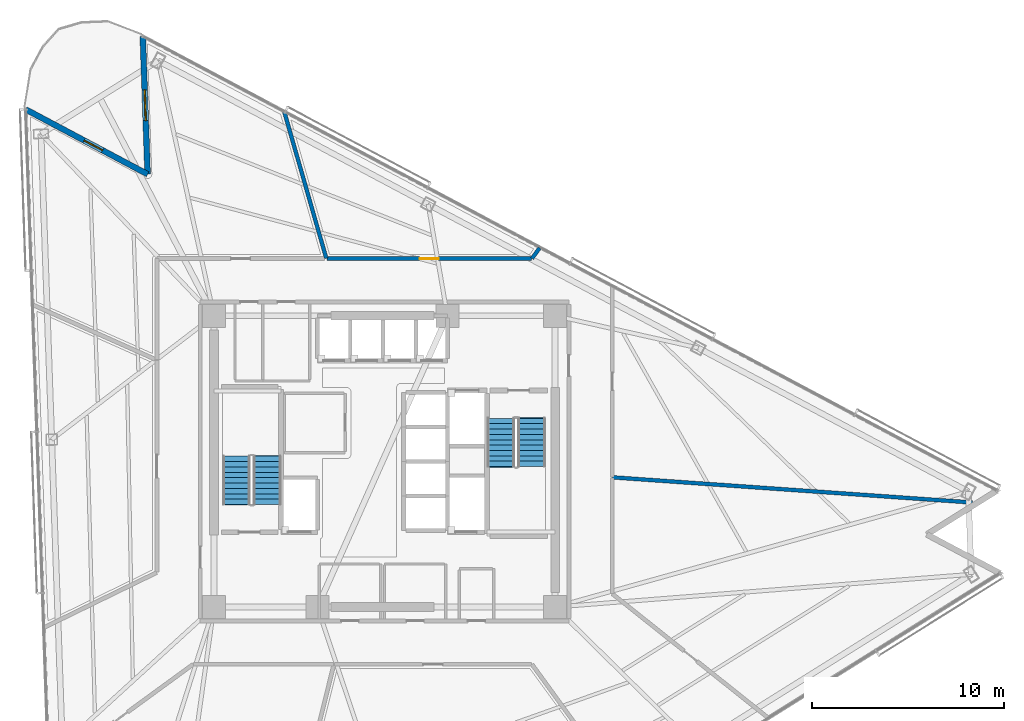
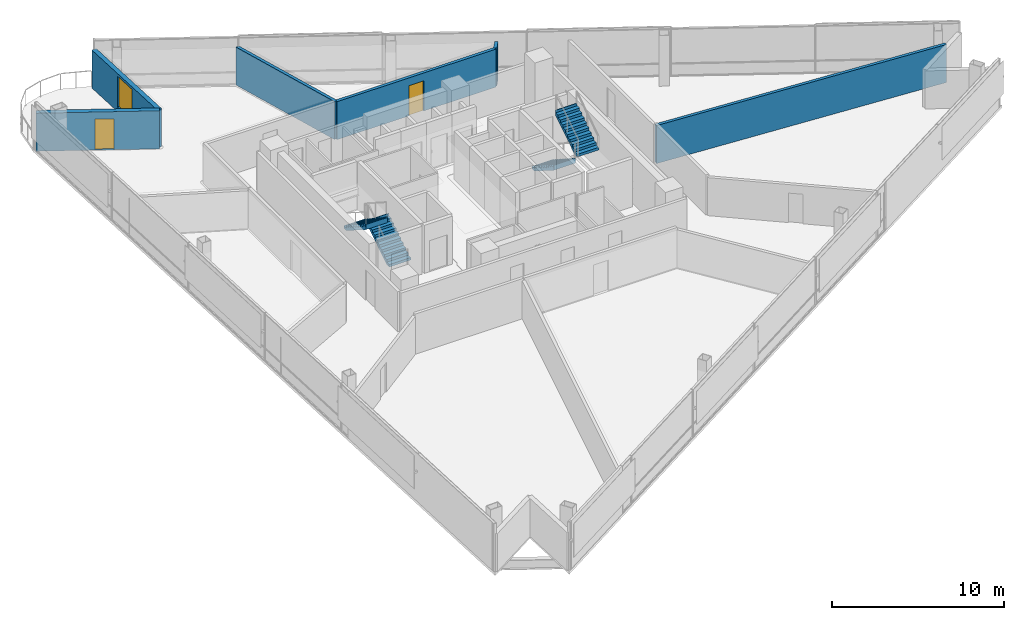
# One storey, part 14 of 21: 6 walls, 4 stair flights, 2 doors, 1 window, 3 openings, 2 elements without a shape of their own.
"""IFC4 building model written with IfcOpenShell, lengths in metres."""

from ifc_helpers import new_model, si_unit, direction, frame, frame_2d, origin, place, context, subcontext, project, spatial, polyline, rectangle, outline, extrude, material, layer, layer_set, type_object, element, fill, aggregate, save


model = new_model("IFC4")

# Units and contexts
model_context = context("Model", 3, precision=1e-05, world=origin(), true_north=direction((0.0, 1.0)))
body_context = subcontext(model_context, "Body", "Model", "MODEL_VIEW")
ifc_project = project(units=[si_unit("LENGTHUNIT", "METRE"), si_unit("AREAUNIT", "SQUARE_METRE"), si_unit("VOLUMEUNIT", "CUBIC_METRE"), si_unit("PLANEANGLEUNIT", "RADIAN"), si_unit("MASSUNIT", "GRAM", prefix="KILO")], contexts=[model_context])

# Site, building, storey
site_placement = place(None, origin())
site = spatial("IfcSite", under=ifc_project, at=site_placement, CompositionType="ELEMENT")
building_placement = place(site_placement, origin())
building = spatial("IfcBuilding", under=site, at=building_placement, Name="Tharavind Bronze Gate", CompositionType="ELEMENT")
storey_placement = place(building_placement, frame((0.0, 0.0, 142.39990234375)))
storey = spatial("IfcBuildingStorey", under=building, at=storey_placement, Name="L36", CompositionType="ELEMENT", Elevation=142.39990234375)

# Wall, opening, window
ifc_material_1 = material(Name="Concrete C40/50", Category="concrete")
ifc_layer_1 = layer(ifc_material_1, 0.300048828125)
ifc_layer_set_1 = layer_set([ifc_layer_1], Name="Concrete C40/50")
wall_type_1 = type_object("IfcWallType", Name="EXTERIOR SPANDREL WALL 300", PredefinedType="STANDARD", material=ifc_layer_set_1)
wall_1_placement = place(storey_placement, frame((-12.614013671875, 22.179931640625, 0.0), z_axis=(0.0, 0.0, 1.0), x_axis=(0.034925918675, -0.999389903994, 0.0)))
wall_1 = element("IfcWall", 1, at=wall_1_placement, inside=storey, type_object=wall_type_1, Name="L36 notch cheek wall 1A", PredefinedType="STANDARD", context=body_context, shape_type="SweptSolid", body=[
    extrude(rectangle(XDim=7.199951171875, YDim=0.300048828125, at=frame_2d((3.60009765625, 0.0))), origin(), (0.0, 0.0, 1.0), 2.705078125),
])
opening_1_placement = place(wall_1_placement, frame((2.800048828125, 0.0, 0.324951171875)))
opening_1 = element("IfcOpeningElement", 2, at=opening_1_placement, cuts=wall_1, Name="Opening W05", PredefinedType="OPENING", context=body_context, shape_type="SweptSolid", body=[
    extrude(rectangle(XDim=1.60009765625, YDim=2.199951171875, at=frame_2d((0.800048828125, 1.10009765625))), frame((0.0, 0.15990234375, 0.0), z_axis=(0.0, -1.0, 0.0), x_axis=(1.0, 0.0, 0.0)), (0.0, 0.0, 1.0), 0.320048828125),
])
ifc_material_2 = material(Name="Bronze Aluminium & Low-E Glass", Category="aluminium")
window_type = type_object("IfcWindowType", Name="OFFICE NOTCH BRONZE WINDOW 1600X2200", PartitioningType="DOUBLE_PANEL_VERTICAL", PredefinedType="WINDOW", material=ifc_material_2)
window_placement = place(opening_1_placement, origin())
window = element("IfcWindow", 3, at=window_placement, inside=storey, type_object=window_type, Name="L36 exterior window WL-L36-NCB1-01", OverallHeight=2.199951171875, OverallWidth=1.60009765625, PartitioningType="SINGLE_PANEL", PredefinedType="WINDOW", context=body_context, shape_type="SweptSolid", body=[
    extrude(rectangle(XDim=1.60009765625, YDim=2.199951171875, at=frame_2d((0.800048828125, 1.10009765625))), frame((0.0, 0.030029296875, 0.0), z_axis=(0.0, -1.0, 0.0), x_axis=(1.0, 0.0, 0.0)), (0.0, 0.0, 1.0), 0.06005859375),
])
fill(opening_1, window)

# Wall, opening, door
wall_2_placement = place(storey_placement, frame((-12.362548828125, 14.984375, 0.0), z_axis=(0.0, 0.0, 1.0), x_axis=(-0.882950149473, 0.469466754463, 0.0)))
wall_2 = element("IfcWall", 4, at=wall_2_placement, inside=storey, type_object=wall_type_1, Name="L36 notch cheek wall 1B", PredefinedType="STANDARD", context=body_context, shape_type="SweptSolid", body=[
    extrude(rectangle(XDim=7.199951171875, YDim=0.300048828125, at=frame_2d((3.60009765625, 0.0))), origin(), (0.0, 0.0, 1.0), 2.705078125),
])
opening_2_placement = place(wall_2_placement, frame((2.654052734375, 0.0, 0.0)))
opening_2 = element("IfcOpeningElement", 5, at=opening_2_placement, cuts=wall_2, Name="Opening ED04", PredefinedType="OPENING", context=body_context, shape_type="SweptSolid", body=[
    extrude(rectangle(XDim=1.10009765625, YDim=2.199951171875, at=frame_2d((0.550048828125, 1.10009765625))), frame((0.0, 0.15990234375, 0.0), z_axis=(0.0, -1.0, 0.0), x_axis=(1.0, 0.0, 0.0)), (0.0, 0.0, 1.0), 0.320048828125),
])
ifc_material_3 = material(Name="Bronze Aluminium & Toughened Glass", Category="aluminium")
door_type_1 = type_object("IfcDoorType", Name="TREE BALCONY ACCESS DOOR 1100X2200", OperationType="SINGLE_SWING_LEFT", PredefinedType="DOOR", material=ifc_material_3)
door_1_placement = place(opening_2_placement, origin())
door_1 = element("IfcDoor", 6, at=door_1_placement, inside=storey, type_object=door_type_1, Name="L36 tree balcony access door", OperationType="SINGLE_SWING_LEFT", OverallHeight=2.199951171875, OverallWidth=1.10009765625, PredefinedType="DOOR", context=body_context, shape_type="SweptSolid", body=[
    extrude(rectangle(XDim=1.10009765625, YDim=2.199951171875, at=frame_2d((0.550048828125, 1.10009765625))), frame((0.0, 0.02490234375, 0.0), z_axis=(0.0, -1.0, 0.0), x_axis=(1.0, 0.0, 0.0)), (0.0, 0.0, 1.0), 0.050048828125),
])
fill(opening_2, door_1)

# Walls
ifc_material_4 = material(Name="Aerated Concrete Block", Category="concrete")
ifc_layer_2 = layer(ifc_material_4, 0.199951171875)
ifc_layer_set_2 = layer_set([ifc_layer_2], Name="Aerated Concrete Block")
wall_type_2 = type_object("IfcWallType", Name="FIRE RATED PARTITION 200", PredefinedType="PARTITIONING", material=ifc_layer_set_2)
wall_3_placement = place(storey_placement, frame((11.90673828125, -0.83251953125, 0.0), z_axis=(0.0, 0.0, 1.0), x_axis=(0.997563710426, -0.069761333428, 0.0)))
element("IfcWall", 7, at=wall_3_placement, inside=storey, type_object=wall_type_2, Name="L36 Public Restrooms Block partition", PredefinedType="PARTITIONING", context=body_context, shape_type="SweptSolid", body=[
    extrude(rectangle(XDim=18.814208984375, YDim=0.199951171875, at=frame_2d((9.4072265625, 0.0))), origin(), (0.0, 0.0, 1.0), 2.705078125),
])
wall_4_placement = place(storey_placement, frame((8.09228515625, 11.137939453125, 0.0), z_axis=(0.0, 0.0, 1.0), x_axis=(-0.587871434296, -0.80895437247, 0.0)))
element("IfcWall", 8, at=wall_4_placement, inside=storey, type_object=wall_type_2, Name="L36 Biotech Dry Lab Office partition", PredefinedType="PARTITIONING", context=body_context, shape_type="SweptSolid", body=[
    extrude(rectangle(XDim=0.677001953125, YDim=0.199951171875, at=frame_2d((0.33837890625, 0.0))), origin(), (0.0, 0.0, 1.0), 2.705078125),
])

# Wall, opening, door
wall_5_placement = place(storey_placement, frame((7.674072265625, 10.580078125, 0.0), z_axis=(0.0, 0.0, 1.0), x_axis=(-1.0, 0.0, 0.0)))
wall_5 = element("IfcWall", 9, at=wall_5_placement, inside=storey, type_object=wall_type_2, Name="L36 Biotech Dry Lab Office partition", PredefinedType="PARTITIONING", context=body_context, shape_type="SweptSolid", body=[
    extrude(rectangle(XDim=10.68896484375, YDim=0.199951171875, at=frame_2d((5.344482421875, 0.0))), origin(), (0.0, 0.0, 1.0), 2.705078125),
])
opening_3_placement = place(wall_5_placement, frame((4.844970703125, 0.0, 0.0)))
opening_3 = element("IfcOpeningElement", 10, at=opening_3_placement, cuts=wall_5, Name="Opening ID04", PredefinedType="OPENING", context=body_context, shape_type="SweptSolid", body=[
    extrude(rectangle(XDim=1.0, YDim=2.14990234375, at=frame_2d((0.5, 1.074951171875))), frame((0.0, 0.11009765625, 0.0), z_axis=(0.0, -1.0, 0.0), x_axis=(1.0, 0.0, 0.0)), (0.0, 0.0, 1.0), 0.219951171875),
])
ifc_material_5 = material(Name="Bronze Framed Acoustic Timber", Category="wood")
door_type_2 = type_object("IfcDoorType", Name="OFFICE TENANCY DOOR 1000X2150", OperationType="SINGLE_SWING_RIGHT", PredefinedType="DOOR", material=ifc_material_5)
door_2_placement = place(opening_3_placement, origin())
door_2 = element("IfcDoor", 11, at=door_2_placement, inside=storey, type_object=door_type_2, Name="L36 Biotech Dry Lab Office door", OperationType="SINGLE_SWING_RIGHT", OverallHeight=2.14990234375, OverallWidth=1.0, PredefinedType="DOOR", context=body_context, shape_type="SweptSolid", body=[
    extrude(rectangle(XDim=1.0, YDim=2.14990234375, at=frame_2d((0.5, 1.074951171875))), frame((0.0, 0.02490234375, 0.0), z_axis=(0.0, -1.0, 0.0), x_axis=(1.0, 0.0, 0.0)), (0.0, 0.0, 1.0), 0.050048828125),
])
fill(opening_3, door_2)

# Wall
wall_6_placement = place(storey_placement, frame((-3.0390625, 10.59814453125, 0.0), z_axis=(0.0, 0.0, 1.0), x_axis=(-0.275619537282, 0.961266805142, 0.0)))
element("IfcWall", 12, at=wall_6_placement, inside=storey, type_object=wall_type_2, Name="L36 Biotech Dry Lab Office partition", PredefinedType="PARTITIONING", context=body_context, shape_type="SweptSolid", body=[
    extrude(rectangle(XDim=7.966796875, YDim=0.199951171875, at=frame_2d((3.9833984375, 0.0))), origin(), (0.0, 0.0, 1.0), 2.705078125),
])

# Stair, stair flights
stair_type = type_object("IfcStairType", Name="CORE HALF TURN STAIR 1450", PredefinedType="HALF_TURN_STAIR", material=ifc_material_1)
stair_1_placement = place(storey_placement, origin())
stair_1 = element("IfcStair", 13, at=stair_1_placement, inside=storey, type_object=stair_type, Name="L36 Protected Exit Stair ST1", PredefinedType="HALF_TURN_STAIR")
stair_flight_type = type_object("IfcStairFlightType", Name="CORE STAIR FLIGHT 1450", PredefinedType="STRAIGHT", material=ifc_material_1)
stair_flight_1_placement = place(storey_placement, frame((-6.125, -2.25, 0.0), z_axis=(0.0, 0.0, 1.0), x_axis=(0.0, 1.0, 0.0)))
stair_flight_1 = element("IfcStairFlight", 14, at=stair_flight_1_placement, type_object=stair_flight_type, Name="ST1 flight 1", NumberOfRisers=10, NumberOfTreads=9, PredefinedType="STRAIGHT", RiserHeight=0.18, TreadLength=0.28, context=body_context, shape_type="SweptSolid", body=[
    extrude(outline(polyline([(0.0, 0.0), (0.0, 0.179931640625), (0.280029296875, 0.179931640625), (0.280029296875, 0.360107421875), (0.56005859375, 0.360107421875), (0.56005859375, 0.5400390625), (0.840087890625, 0.5400390625), (0.840087890625, 0.719970703125), (1.1201171875, 0.719970703125), (1.1201171875, 0.89990234375), (1.39990234375, 0.89990234375), (1.39990234375, 1.080078125), (1.679931640625, 1.080078125), (1.679931640625, 1.260009765625), (1.9599609375, 1.260009765625), (1.9599609375, 1.43994140625), (2.239990234375, 1.43994140625), (2.239990234375, 1.6201171875), (2.52001953125, 1.6201171875), (2.52001953125, 1.800048828125), (2.555908203125, 1.800048828125), (2.555908203125, 1.44189453125), (0.277099609375, 0.0), (0.0, 0.0)])), frame((0.0, 0.72509765625, 0.0), z_axis=(0.0, -1.0, 0.0), x_axis=(1.0, 0.0, 0.0)), (0.0, 0.0, 1.0), 1.449951171875),
])
stair_flight_2_placement = place(storey_placement, frame((-7.72509765625, 0.27001953125, 1.800048828125), z_axis=(0.0, 0.0, 1.0), x_axis=(0.0, -1.0, 0.0)))
stair_flight_2 = element("IfcStairFlight", 15, at=stair_flight_2_placement, type_object=stair_flight_type, Name="ST1 flight 2", NumberOfRisers=10, NumberOfTreads=9, PredefinedType="STRAIGHT", RiserHeight=0.18, TreadLength=0.28, context=body_context, shape_type="SweptSolid", body=[
    extrude(outline(polyline([(0.0, 0.0), (0.0, 0.179931640625), (0.280029296875, 0.179931640625), (0.280029296875, 0.360107421875), (0.56005859375, 0.360107421875), (0.56005859375, 0.5400390625), (0.840087890625, 0.5400390625), (0.840087890625, 0.719970703125), (1.1201171875, 0.719970703125), (1.1201171875, 0.89990234375), (1.39990234375, 0.89990234375), (1.39990234375, 1.080078125), (1.679931640625, 1.080078125), (1.679931640625, 1.260009765625), (1.9599609375, 1.260009765625), (1.9599609375, 1.43994140625), (2.239990234375, 1.43994140625), (2.239990234375, 1.6201171875), (2.52001953125, 1.6201171875), (2.52001953125, 1.800048828125), (2.555908203125, 1.800048828125), (2.555908203125, 1.44189453125), (0.277099609375, 0.0), (0.0, 0.0)])), frame((0.0, 0.72509765625, 0.0), z_axis=(0.0, -1.0, 0.0), x_axis=(1.0, 0.0, 0.0)), (0.0, 0.0, 1.0), 1.449951171875),
])
aggregate(stair_1, [stair_flight_1, stair_flight_2])

stair_2_placement = place(storey_placement, origin())
stair_2 = element("IfcStair", 16, at=stair_2_placement, inside=storey, type_object=stair_type, Name="L36 Protected Exit Stair ST2", PredefinedType="HALF_TURN_STAIR")
stair_flight_3_placement = place(storey_placement, frame((6.074951171875, 2.25, 0.0), z_axis=(0.0, 0.0, 1.0), x_axis=(0.0, -1.0, 0.0)))
stair_flight_3 = element("IfcStairFlight", 17, at=stair_flight_3_placement, type_object=stair_flight_type, Name="ST2 flight 1", NumberOfRisers=10, NumberOfTreads=9, PredefinedType="STRAIGHT", RiserHeight=0.18, TreadLength=0.28, context=body_context, shape_type="SweptSolid", body=[
    extrude(outline(polyline([(0.0, 0.0), (0.0, 0.179931640625), (0.280029296875, 0.179931640625), (0.280029296875, 0.360107421875), (0.56005859375, 0.360107421875), (0.56005859375, 0.5400390625), (0.840087890625, 0.5400390625), (0.840087890625, 0.719970703125), (1.1201171875, 0.719970703125), (1.1201171875, 0.89990234375), (1.39990234375, 0.89990234375), (1.39990234375, 1.080078125), (1.679931640625, 1.080078125), (1.679931640625, 1.260009765625), (1.9599609375, 1.260009765625), (1.9599609375, 1.43994140625), (2.239990234375, 1.43994140625), (2.239990234375, 1.6201171875), (2.52001953125, 1.6201171875), (2.52001953125, 1.800048828125), (2.555908203125, 1.800048828125), (2.555908203125, 1.44189453125), (0.277099609375, 0.0), (0.0, 0.0)])), frame((0.0, 0.72509765625, 0.0), z_axis=(0.0, -1.0, 0.0), x_axis=(1.0, 0.0, 0.0)), (0.0, 0.0, 1.0), 1.449951171875),
])
stair_flight_4_placement = place(storey_placement, frame((7.675048828125, -0.27001953125, 1.800048828125), z_axis=(0.0, 0.0, 1.0), x_axis=(0.0, 1.0, 0.0)))
stair_flight_4 = element("IfcStairFlight", 18, at=stair_flight_4_placement, type_object=stair_flight_type, Name="ST2 flight 2", NumberOfRisers=10, NumberOfTreads=9, PredefinedType="STRAIGHT", RiserHeight=0.18, TreadLength=0.28, context=body_context, shape_type="SweptSolid", body=[
    extrude(outline(polyline([(0.0, 0.0), (0.0, 0.179931640625), (0.280029296875, 0.179931640625), (0.280029296875, 0.360107421875), (0.56005859375, 0.360107421875), (0.56005859375, 0.5400390625), (0.840087890625, 0.5400390625), (0.840087890625, 0.719970703125), (1.1201171875, 0.719970703125), (1.1201171875, 0.89990234375), (1.39990234375, 0.89990234375), (1.39990234375, 1.080078125), (1.679931640625, 1.080078125), (1.679931640625, 1.260009765625), (1.9599609375, 1.260009765625), (1.9599609375, 1.43994140625), (2.239990234375, 1.43994140625), (2.239990234375, 1.6201171875), (2.52001953125, 1.6201171875), (2.52001953125, 1.800048828125), (2.555908203125, 1.800048828125), (2.555908203125, 1.44189453125), (0.277099609375, 0.0), (0.0, 0.0)])), frame((0.0, 0.72509765625, 0.0), z_axis=(0.0, -1.0, 0.0), x_axis=(1.0, 0.0, 0.0)), (0.0, 0.0, 1.0), 1.449951171875),
])
aggregate(stair_2, [stair_flight_3, stair_flight_4])

save(model, "model.ifc")
